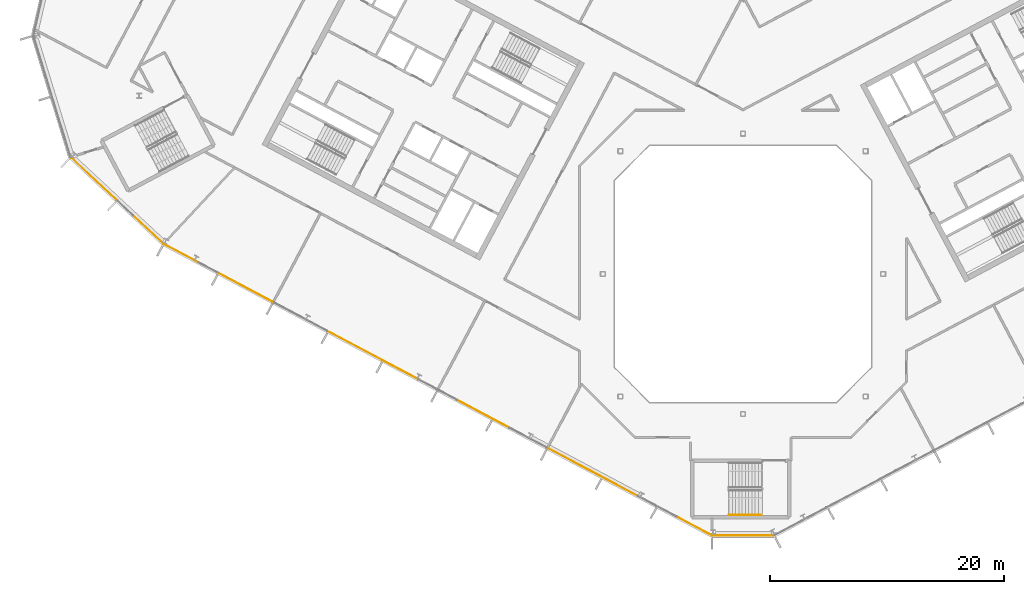
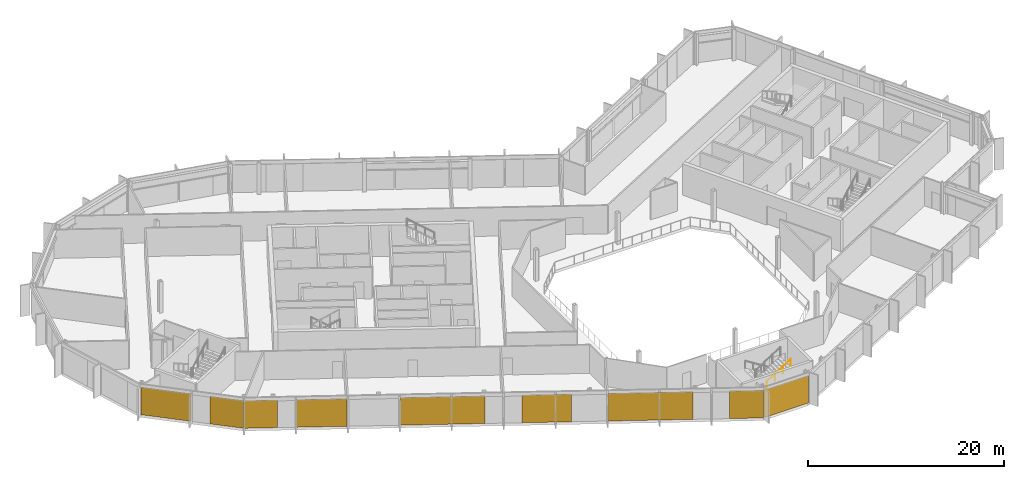
# One storey, part 18 of 25: 9 coverings, 1 railing, 3 elements without a shape of their own.
"""IFC4 building model written with IfcOpenShell, lengths in metres."""

from ifc_helpers import new_model, si_unit, direction, frame, origin, origin_2d, place, context, subcontext, project, spatial, polyline, rectangle, outline, extrude, material, layer, layer_set, type_object, element, aggregate, save


model = new_model("IFC4")

# Units and contexts
model_context = context("Model", 3, precision=1e-05, world=origin(), true_north=direction((0.0, 1.0)))
body_context = subcontext(model_context, "Body", "Model", "MODEL_VIEW")
ifc_project = project(units=[si_unit("LENGTHUNIT", "METRE"), si_unit("AREAUNIT", "SQUARE_METRE"), si_unit("VOLUMEUNIT", "CUBIC_METRE"), si_unit("PLANEANGLEUNIT", "RADIAN"), si_unit("MASSUNIT", "GRAM", prefix="KILO")], contexts=[model_context])

# Site, building, storey
site_placement = place(None, origin())
site = spatial("IfcSite", under=ifc_project, at=site_placement, CompositionType="ELEMENT")
building_placement = place(site_placement, origin())
building = spatial("IfcBuilding", under=site, at=building_placement, Name="Cormorant Relay Tower", CompositionType="ELEMENT")
storey_placement = place(building_placement, frame((0.0, 0.0, 265.800048828125)))
storey = spatial("IfcBuildingStorey", under=building, at=storey_placement, Name="L59", CompositionType="ELEMENT", Elevation=265.800048828125)

# Curtain wall, covering
ifc_material_1 = material(Name="Aluminium 6063-T6 anodised bronze", Category="aluminium")
ifc_layer_1 = layer(ifc_material_1, 0.199951171875)
ifc_layer_set_1 = layer_set([ifc_layer_1], Name="CW1 unitised bronze curtain wall with vertical fins")
curtain_wall_type = type_object("IfcCurtainWallType", Name="CW1 unitised bronze curtain wall with vertical fins", PredefinedType="NOTDEFINED", material=ifc_layer_set_1)
curtain_wall_1_placement = place(storey_placement, origin())
curtain_wall_1 = element("IfcCurtainWall", 1, at=curtain_wall_1_placement, inside=storey, type_object=curtain_wall_type, Name="CW1 curtain wall 1", PredefinedType="NOTDEFINED")
ifc_material_2 = material(Name="Pale bronze anodised aluminium insulated panel", Category="aluminium")
ifc_layer_2 = layer(ifc_material_2, 0.0400390625)
ifc_layer_set_2 = layer_set([ifc_layer_2], Name="CW1 pale bronze insulated panel 40")
covering_type = type_object("IfcCoveringType", Name="CW1 pale bronze insulated panel 40", PredefinedType="CLADDING", material=ifc_layer_set_2)
covering_1_placement = place(storey_placement, frame((0.03759765625, -22.3955078125, 0.0), z_axis=(0.0, 0.0, 1.0), x_axis=(1.0, 0.0, 0.0)))
covering_1 = element("IfcCovering", 2, at=covering_1_placement, type_object=covering_type, Name="CW1 panel S00", PredefinedType="CLADDING", context=body_context, shape_type="SweptSolid", body=[
    extrude(rectangle(XDim=5.22265625, YDim=0.0400390625, at=origin_2d()), origin(), (0.0, 0.0, 1.0), 3.449951171875),
])
aggregate(curtain_wall_1, [covering_1])

# Curtain wall, coverings
curtain_wall_2_placement = place(storey_placement, origin())
curtain_wall_2 = element("IfcCurtainWall", 3, at=curtain_wall_2_placement, inside=storey, type_object=curtain_wall_type, Name="CW1 curtain wall 15", PredefinedType="NOTDEFINED")
covering_2_placement = place(storey_placement, frame((-55.56787109375, 8.1298828125, 0.0), z_axis=(0.0, 0.0, 1.0), x_axis=(0.731353701619, -0.681998360062, 0.0)))
covering_2 = element("IfcCovering", 4, at=covering_2_placement, type_object=covering_type, Name="CW1 panel S00", PredefinedType="CLADDING", context=body_context, shape_type="SweptSolid", body=[
    extrude(rectangle(XDim=5.28515625, YDim=0.0400390625, at=origin_2d()), origin(), (0.0, 0.0, 1.0), 3.449951171875),
])
covering_3_placement = place(storey_placement, frame((-50.906982421875, 3.78369140625, 0.0), z_axis=(0.0, 0.0, 1.0), x_axis=(0.731353701619, -0.681998360062, 0.0)))
covering_3 = element("IfcCovering", 5, at=covering_3_placement, type_object=covering_type, Name="CW1 panel S02", PredefinedType="CLADDING", context=body_context, shape_type="SweptSolid", body=[
    extrude(rectangle(XDim=3.560302734375, YDim=0.0400390625, at=origin_2d()), origin(), (0.0, 0.0, 1.0), 3.449951171875),
])
aggregate(curtain_wall_2, [covering_2, covering_3])

curtain_wall_3_placement = place(storey_placement, origin())
curtain_wall_3 = element("IfcCurtainWall", 6, at=curtain_wall_3_placement, inside=storey, type_object=curtain_wall_type, Name="CW1 curtain wall 16", PredefinedType="NOTDEFINED")
covering_4_placement = place(storey_placement, frame((-48.048583984375, 1.7412109375, 0.0), z_axis=(0.0, 0.0, 1.0), x_axis=(0.882947592859, -0.469471562786, 0.0)))
covering_4 = element("IfcCovering", 7, at=covering_4_placement, type_object=covering_type, Name="CW1 panel S00", PredefinedType="CLADDING", context=body_context, shape_type="SweptSolid", body=[
    extrude(rectangle(XDim=3.36669921875, YDim=0.0400390625, at=origin_2d()), origin(), (0.0, 0.0, 1.0), 3.449951171875),
])
covering_5_placement = place(storey_placement, frame((-42.5595703125, -1.17724609375, 0.0), z_axis=(0.0, 0.0, 1.0), x_axis=(0.882947592859, -0.469471562786, 0.0)))
covering_5 = element("IfcCovering", 8, at=covering_5_placement, type_object=covering_type, Name="CW1 panel S02", PredefinedType="CLADDING", context=body_context, shape_type="SweptSolid", body=[
    extrude(rectangle(XDim=5.16650390625, YDim=0.0400390625, at=origin_2d()), origin(), (0.0, 0.0, 1.0), 3.449951171875),
])
covering_6_placement = place(storey_placement, frame((-31.618408203125, -6.994873046875, 0.0), z_axis=(0.0, 0.0, 1.0), x_axis=(0.882947592859, -0.469471562786, 0.0)))
covering_6 = element("IfcCovering", 9, at=covering_6_placement, type_object=covering_type, Name="CW1 panel S04", PredefinedType="CLADDING", context=body_context, shape_type="SweptSolid", body=[
    extrude(rectangle(XDim=8.68310546875, YDim=0.0400390625, at=origin_2d()), origin(), (0.0, 0.0, 1.0), 3.449951171875),
])
covering_7_placement = place(storey_placement, frame((-22.22998046875, -11.98681640625, 0.0), z_axis=(0.0, 0.0, 1.0), x_axis=(0.882947592859, -0.469471562786, 0.0)))
covering_7 = element("IfcCovering", 10, at=covering_7_placement, type_object=covering_type, Name="CW1 panel S07", PredefinedType="CLADDING", context=body_context, shape_type="SweptSolid", body=[
    extrude(rectangle(XDim=5.083251953125, YDim=0.0400390625, at=origin_2d()), origin(), (0.0, 0.0, 1.0), 3.449951171875),
])
covering_8_placement = place(storey_placement, frame((-12.84130859375, -16.978759765625, 0.0), z_axis=(0.0, 0.0, 1.0), x_axis=(0.882947592859, -0.469471562786, 0.0)))
covering_8 = element("IfcCovering", 11, at=covering_8_placement, type_object=covering_type, Name="CW1 panel S09", PredefinedType="CLADDING", context=body_context, shape_type="SweptSolid", body=[
    extrude(rectangle(XDim=8.68310546875, YDim=0.0400390625, at=origin_2d()), origin(), (0.0, 0.0, 1.0), 3.449951171875),
])
covering_9_placement = place(storey_placement, frame((-4.177490234375, -21.58544921875, 0.0), z_axis=(0.0, 0.0, 1.0), x_axis=(0.882947592859, -0.469471562786, 0.0)))
covering_9 = element("IfcCovering", 12, at=covering_9_placement, type_object=covering_type, Name="CW1 panel S12", PredefinedType="CLADDING", context=body_context, shape_type="SweptSolid", body=[
    extrude(rectangle(XDim=3.441650390625, YDim=0.0400390625, at=origin_2d()), origin(), (0.0, 0.0, 1.0), 3.449951171875),
])
aggregate(curtain_wall_3, [covering_4, covering_5, covering_6, covering_7, covering_8, covering_9])

# Railing
ifc_material_3 = material(Name="Steel ASTM A572 Grade 50 (Fy 345 MPa)", Category="steel")
railing_type = type_object("IfcRailingType", Name="Stair handrail 900", PredefinedType="HANDRAIL", material=ifc_material_3)
railing_placement = place(storey_placement, frame((-1.199951171875, -20.625, 2.127197265625)))
element("IfcRailing", 13, at=railing_placement, inside=storey, type_object=railing_type, Name="L59 RK1 stair handrail 2", PredefinedType="HANDRAIL", context=body_context, shape_type="SweptSolid", body=[
    extrude(outline(polyline([(0.022216796875, 0.00927734375), (0.00927734375, 0.022216796875), (-0.00927734375, 0.022216796875), (-0.022216796875, 0.00927734375), (-0.022216796875, -0.00927734375), (-0.00927734375, -0.022216796875), (0.00927734375, -0.022216796875), (0.022216796875, -0.00927734375), (0.022216796875, 0.00927734375)])), frame((0.0, 0.0, 0.8759765625), z_axis=(0.844908973607, 0.0, 0.534910110503), x_axis=(0.0, 1.0, 0.0)), (0.0, 0.0, 1.0), 3.31396484375),
    extrude(outline(polyline([(0.019287109375, 0.008056640625), (0.008056640625, 0.019287109375), (-0.008056640625, 0.019287109375), (-0.019287109375, 0.008056640625), (-0.019287109375, -0.008056640625), (-0.008056640625, -0.019287109375), (0.008056640625, -0.019287109375), (0.019287109375, -0.008056640625), (0.019287109375, 0.008056640625)])), origin(), (0.0, 0.0, 1.0), 0.851806640625),
    extrude(outline(polyline([(0.019287109375, 0.008056640625), (0.008056640625, 0.019287109375), (-0.008056640625, 0.019287109375), (-0.019287109375, 0.008056640625), (-0.019287109375, -0.008056640625), (-0.008056640625, -0.019287109375), (0.008056640625, -0.019287109375), (0.019287109375, -0.008056640625), (0.019287109375, 0.008056640625)])), frame((0.933349609375, 0.0, 0.5908203125)), (0.0, 0.0, 1.0), 0.851806640625),
    extrude(outline(polyline([(0.019287109375, 0.008056640625), (0.008056640625, 0.019287109375), (-0.008056640625, 0.019287109375), (-0.019287109375, 0.008056640625), (-0.019287109375, -0.008056640625), (-0.008056640625, -0.019287109375), (0.008056640625, -0.019287109375), (0.019287109375, -0.008056640625), (0.019287109375, 0.008056640625)])), frame((1.86669921875, 0.0, 1.181884765625)), (0.0, 0.0, 1.0), 0.851806640625),
    extrude(outline(polyline([(0.019287109375, 0.008056640625), (0.008056640625, 0.019287109375), (-0.008056640625, 0.019287109375), (-0.019287109375, 0.008056640625), (-0.019287109375, -0.008056640625), (-0.008056640625, -0.019287109375), (0.008056640625, -0.019287109375), (0.019287109375, -0.008056640625), (0.019287109375, 0.008056640625)])), frame((2.800048828125, 0.0, 1.772705078125)), (0.0, 0.0, 1.0), 0.851806640625),
])

save(model, "model.ifc")
